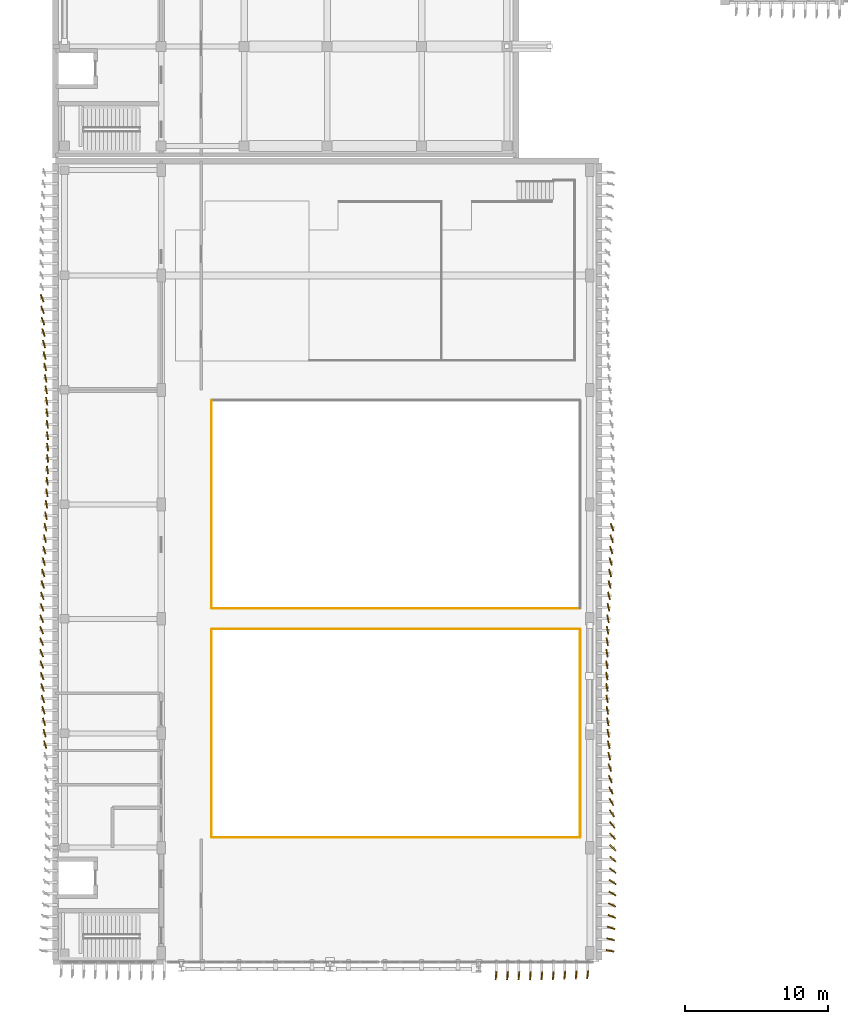
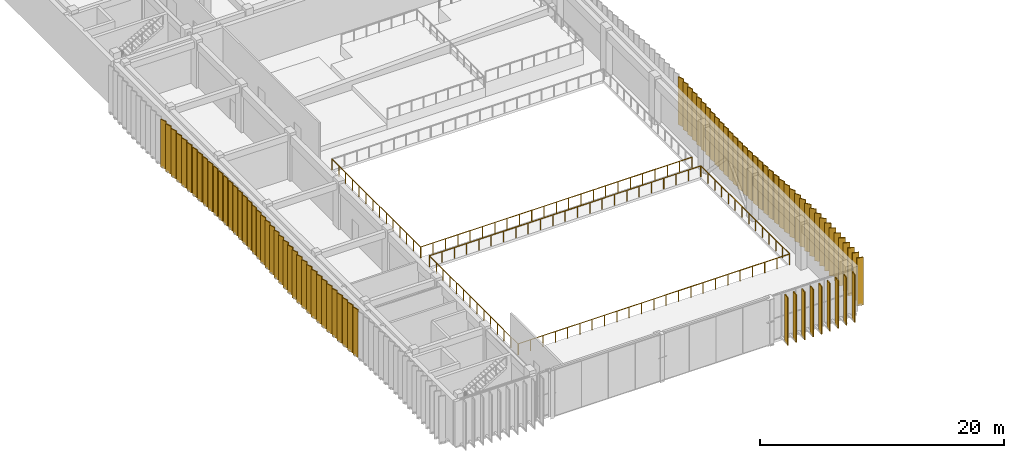
# One storey, part 53 of 64: 87 coverings, 6 railings.
"""IFC4 building model written with IfcOpenShell, lengths in metres."""

import ifcopenshell
import ifcopenshell.guid

model = None  # the IFC model being written
_history = None  # IfcOwnerHistory: only IFC2X3 demands one
_inside = {}  # id of a spatial element -> (the spatial element, [elements in it])
_under = {}  # id of a project, library or spatial element -> (it, [spatial elements below it])
_declared = {}  # id of a project -> (the project, [libraries it declares])
_typed = {}  # id of a type object -> (the type object, [elements of that type])
_made_of = {}  # id of a material, layer set ... -> (it, [elements and type objects made of it])


def new_model(schema):
    """Start an empty IFC model of exactly this schema.

    Asked for "IFC4X3", IfcOpenShell would pick the latest addendum, in which some entities
    have other attributes; the version numbers below select the first issue.
    IFC2X3 requires an IfcOwnerHistory on every rooted entity: one is made here for all.
    """
    global model, _history
    if schema == "IFC4X3":
        model = ifcopenshell.file(schema_version=(4, 3, 0, 0))
    else:
        model = ifcopenshell.file(schema=schema)
    _inside.clear()
    _under.clear()
    _declared.clear()
    _typed.clear()
    _made_of.clear()
    _history = None
    if model.schema == "IFC2X3":
        org = make("IfcOrganization", Name="unknown")
        user = make(
            "IfcPersonAndOrganization",
            ThePerson=make("IfcPerson", FamilyName="unknown"),
            TheOrganization=org,
        )
        app = make(
            "IfcApplication",
            ApplicationDeveloper=org,
            Version="unknown",
            ApplicationFullName="unknown",
            ApplicationIdentifier="unknown",
        )
        _history = make(
            "IfcOwnerHistory",
            OwningUser=user,
            OwningApplication=app,
            ChangeAction="ADDED",
            CreationDate=0,
        )
    return model


def make(cls, **values):
    """One entity of the class cls with the attributes given. An attribute that is None is left unset."""
    return model.create_entity(
        cls, **{name: value for name, value in values.items() if value is not None}
    )


def rooted(cls, **values):
    """An entity with a GlobalId (a new one), such as an element, a storey or a relation."""
    return make(cls, GlobalId=ifcopenshell.guid.new(), OwnerHistory=_history, **values)


def si_unit(unit_type, name, prefix=None):
    """IfcSIUnit, for example si_unit("LENGTHUNIT", "METRE", prefix="MILLI")."""
    return make("IfcSIUnit", UnitType=unit_type, Prefix=prefix, Name=name)


def assignment(units):
    """IfcUnitAssignment: the units of a project."""
    return None if units is None else make("IfcUnitAssignment", Units=units)


def point(xyz):
    """IfcCartesianPoint."""
    return None if xyz is None else make("IfcCartesianPoint", Coordinates=xyz)


def direction(xyz):
    """IfcDirection."""
    return None if xyz is None else make("IfcDirection", DirectionRatios=xyz)


def frame(location, z_axis=None, x_axis=None):
    """IfcAxis2Placement3D, a coordinate frame: its origin and axes. An axis left out is left unset."""
    return make(
        "IfcAxis2Placement3D",
        Location=point(location),
        Axis=direction(z_axis),
        RefDirection=direction(x_axis),
    )


def frame_2d(location, x_axis=None):
    """IfcAxis2Placement2D, a coordinate frame in the plane: its origin and x axis."""
    return make(
        "IfcAxis2Placement2D", Location=point(location), RefDirection=direction(x_axis)
    )


def origin():
    """The frame at (0, 0, 0) with its axes left unset."""
    return frame((0.0, 0.0, 0.0))


def origin_2d():
    """The frame at (0, 0) in the plane with its x axis left unset."""
    return frame_2d((0.0, 0.0))


def place(relative_to, where):
    """IfcLocalPlacement: puts the frame where relative to a parent placement (None: the world)."""
    return make(
        "IfcLocalPlacement", PlacementRelTo=relative_to, RelativePlacement=where
    )


def context(
    kind, dimensions, precision=None, world=None, true_north=None, identifier=None
):
    """IfcGeometricRepresentationContext, for example the 3D "Model" context."""
    return make(
        "IfcGeometricRepresentationContext",
        ContextIdentifier=identifier,
        ContextType=kind,
        CoordinateSpaceDimension=dimensions,
        Precision=precision,
        WorldCoordinateSystem=world,
        TrueNorth=true_north,
    )


def subcontext(parent, identifier, kind, view, scale=None):
    """IfcGeometricRepresentationSubContext, for example "Body" below "Model"."""
    return make(
        "IfcGeometricRepresentationSubContext",
        ContextIdentifier=identifier,
        ContextType=kind,
        ParentContext=parent,
        TargetScale=scale,
        TargetView=view,
    )


def project(units=None, contexts=None):
    """IfcProject with its units and contexts."""
    return rooted(
        "IfcProject",
        Name="project",
        RepresentationContexts=contexts,
        UnitsInContext=assignment(units),
    )


def spatial(cls, under=None, at=None, **own):
    """A site, building, storey or space (cls), placed at a placement, below another one or the project."""
    s = rooted(cls, ObjectPlacement=at, **own)
    if under is not None:
        _under.setdefault(under.id(), (under, []))[1].append(s)
    return s


def profile(cls, at=None, kind="AREA", **sizes):
    """A parametric profile (cls). Its sizes go by their IFC names, for example OverallWidth=200.0."""
    return make(cls, ProfileType=kind, Position=at, **sizes)


def rectangle(**sizes):
    """IfcRectangleProfileDef."""
    return profile("IfcRectangleProfileDef", **sizes)


def circle(**sizes):
    """IfcCircleProfileDef."""
    return profile("IfcCircleProfileDef", **sizes)


def extrude(swept, where, along, depth):
    """IfcExtrudedAreaSolid: the profile swept, set in the frame where, extruded along a direction by depth."""
    return make(
        "IfcExtrudedAreaSolid",
        SweptArea=swept,
        Position=where,
        ExtrudedDirection=direction(along),
        Depth=depth,
    )


def shape(context_of_items, identifier, shape_type, items):
    """IfcShapeRepresentation: the items that make up one representation, for example the "Body"."""
    return make(
        "IfcShapeRepresentation",
        ContextOfItems=context_of_items,
        RepresentationIdentifier=identifier,
        RepresentationType=shape_type,
        Items=items,
    )


def material(Name=None, Category=None):
    """IfcMaterial."""
    return make("IfcMaterial", Name=Name, Category=Category)


def layer(
    of_material, thickness, ventilated=None, Name=None, Category=None, Priority=None
):
    """IfcMaterialLayer: one layer of a wall or slab, of a material (None: an air gap)."""
    return make(
        "IfcMaterialLayer",
        Material=of_material,
        LayerThickness=thickness,
        IsVentilated=ventilated,
        Name=Name,
        Category=Category,
        Priority=Priority,
    )


def layer_set(layers, Name=None):
    """IfcMaterialLayerSet."""
    return make("IfcMaterialLayerSet", MaterialLayers=layers, LayerSetName=Name)


def made_of(thing, what):
    """Note that an element or type object is made of a material, layer set ...; save() writes the relation."""
    if what is not None:
        _made_of.setdefault(what.id(), (what, []))[1].append(thing)
    return thing


def type_object(cls, material=None, **own):
    """A type object (cls), such as IfcWallType, which elements share."""
    return made_of(rooted(cls, **own), material)


def element(
    cls,
    number,
    at=None,
    inside=None,
    cuts=None,
    type_object=None,
    material=None,
    context=None,
    identifier="Body",
    shape_type=None,
    held_by="IfcProductDefinitionShape",
    body=None,
    shapes=None,
    **own,
):
    """One element of the class cls, such as IfcWall. Its Tag is "e" and its number.

    at: its placement. inside: the storey or other place that contains it. cuts: it is an
    opening in that element (IfcRelVoidsElement). A single representation is given by context,
    identifier, shape_type and body (its items); several are given by shapes. held_by: the class
    of the entity that holds the representations. save() writes the other relations.
    """
    e = rooted(cls, Tag="e%d" % number, ObjectPlacement=at, **own)
    if body is not None:
        shapes = [shape(context, identifier, shape_type, body)]
    if shapes is not None:
        e.Representation = make(held_by, Representations=shapes)
    if inside is not None:
        _inside.setdefault(inside.id(), (inside, []))[1].append(e)
    if cuts is not None:
        rooted(
            "IfcRelVoidsElement", RelatingBuildingElement=cuts, RelatedOpeningElement=e
        )
    if type_object is not None:
        _typed.setdefault(type_object.id(), (type_object, []))[1].append(e)
    return made_of(e, material)


def aggregate(whole, parts):
    """IfcRelAggregates: a whole, such as a stair, and the parts it consists of."""
    return rooted("IfcRelAggregates", RelatingObject=whole, RelatedObjects=parts)


def save(model, path):
    """Write the relations noted so far, then the file.

    IfcRelAggregates (storeys below a building ...), IfcRelContainedInSpatialStructure (elements
    in a storey), IfcRelDefinesByType, IfcRelAssociatesMaterial and IfcRelDeclares: one each for
    every whole, place, type object, material and project.
    """
    for whole, parts in _under.values():
        aggregate(whole, parts)
    for where, things in _inside.values():
        rooted(
            "IfcRelContainedInSpatialStructure",
            RelatedElements=things,
            RelatingStructure=where,
        )
    for kind, things in _typed.values():
        rooted("IfcRelDefinesByType", RelatedObjects=things, RelatingType=kind)
    for what, things in _made_of.values():
        rooted("IfcRelAssociatesMaterial", RelatedObjects=things, RelatingMaterial=what)
    for by, libraries in _declared.values():
        rooted("IfcRelDeclares", RelatingContext=by, RelatedDefinitions=libraries)
    model.write(path)


model = new_model("IFC4")

# Units and contexts
model_context = context("Model", 3, precision=1e-05, world=origin(), true_north=direction((0.0, 1.0)))
body_context = subcontext(model_context, "Body", "Model", "MODEL_VIEW")
ifc_project = project(units=[si_unit("LENGTHUNIT", "METRE"), si_unit("AREAUNIT", "SQUARE_METRE"), si_unit("VOLUMEUNIT", "CUBIC_METRE"), si_unit("PLANEANGLEUNIT", "RADIAN"), si_unit("MASSUNIT", "GRAM", prefix="KILO")], contexts=[model_context])

# Site, building, storey
site_placement = place(None, origin())
site = spatial("IfcSite", under=ifc_project, at=site_placement, CompositionType="ELEMENT")
building_placement = place(site_placement, origin())
building = spatial("IfcBuilding", under=site, at=building_placement, Name="Cinchona Park Media Centre", CompositionType="ELEMENT")
storey_placement = place(building_placement, frame((0.0, 0.0, 5.39990234375)))
storey = spatial("IfcBuildingStorey", under=building, at=storey_placement, Name="L01", CompositionType="ELEMENT", Elevation=5.39990234375)

# Coverings
ifc_material_1 = material(Name="Anodised Storm-Resistant Aluminium Fin", Category="aluminium")
ifc_layer = layer(ifc_material_1, 0.090087890625)
ifc_layer_set = layer_set([ifc_layer], Name="Anodised Storm-Resistant Aluminium Fin")
covering_type = type_object("IfcCoveringType", Name="CLADDING-FIN01", PredefinedType="CLADDING", material=ifc_layer_set)
for number, where, z_axis, x_axis, name in (
    (1, (7.0791015625, 54.0, 0.0), (0.0, 0.0, 1.0), (0.353474843779, -0.93544403083, 0.0), "Twisting Vertical Facade Fin L01"),
    (2, (7.10498046875, 53.199951171875, 0.0), (0.0, 0.0, 1.0), (0.339230517808, -0.940703277228, 0.0), "Twisting Vertical Facade Fin L01"),
    (3, (7.135986328125, 52.39990234375, 0.0), (0.0, 0.0, 1.0), (0.321935232675, -0.946761694389, 0.0), "Twisting Vertical Facade Fin L01"),
    (4, (7.172119140625, 51.60009765625, 0.0), (0.0, 0.0, 1.0), (0.30236989075, -0.953190667793, 0.0), "Twisting Vertical Facade Fin L01"),
    (5, (7.2099609375, 50.800048828125, 0.0), (0.0, 0.0, 1.0), (0.281001727065, -0.959707262339, 0.0), "Twisting Vertical Facade Fin L01"),
    (6, (7.25, 50.0, 0.0), (0.0, 0.0, 1.0), (0.258819045103, -0.965925826289, 0.0), "Twisting Vertical Facade Fin L01"),
    (7, (7.2900390625, 49.199951171875, 0.0), (0.0, 0.0, 1.0), (0.236498997024, -0.971631732915, 0.0), "Twisting Vertical Facade Fin L01"),
    (8, (7.327880859375, 48.39990234375, 0.0), (0.0, 0.0, 1.0), (0.214735327167, -0.976672278334, 0.0), "Twisting Vertical Facade Fin L01"),
    (9, (7.364013671875, 47.60009765625, 0.0), (0.0, 0.0, 1.0), (0.194576757325, -0.980887295008, 0.0), "Twisting Vertical Facade Fin L01"),
    (10, (7.39501953125, 46.800048828125, 0.0), (0.0, 0.0, 1.0), (0.176569392453, -0.984288194407, 0.0), "Twisting Vertical Facade Fin L01"),
    (11, (7.4208984375, 46.0, 0.0), (0.0, 0.0, 1.0), (0.161603821103, -0.986855716407, 0.0), "Twisting Vertical Facade Fin L01"),
    (12, (7.44091796875, 45.199951171875, 0.0), (0.0, 0.0, 1.0), (0.150053034553, -0.988677948991, 0.0), "Twisting Vertical Facade Fin L01"),
    (13, (7.4541015625, 44.39990234375, 0.0), (0.0, 0.0, 1.0), (0.142628933706, -0.989776230908, 0.0), "Twisting Vertical Facade Fin L01"),
    (14, (7.4599609375, 43.60009765625, 0.0), (0.0, 0.0, 1.0), (0.139345933222, -0.990243763371, 0.0), "Twisting Vertical Facade Fin L01"),
    (15, (7.4580078125, 42.800048828125, 0.0), (0.0, 0.0, 1.0), (0.140382837472, -0.990097297715, 0.0), "Twisting Vertical Facade Fin L01"),
    (16, (7.447998046875, 42.0, 0.0), (0.0, 0.0, 1.0), (0.145737698481, -0.989323265289, 0.0), "Twisting Vertical Facade Fin L01"),
    (17, (7.431884765625, 41.199951171875, 0.0), (0.0, 0.0, 1.0), (0.155400074643, -0.987851616793, 0.0), "Twisting Vertical Facade Fin L01"),
    (18, (7.408935546875, 40.39990234375, 0.0), (0.0, 0.0, 1.0), (0.168661414708, -0.985674047132, 0.0), "Twisting Vertical Facade Fin L01"),
    (19, (7.3798828125, 39.60009765625, 0.0), (0.0, 0.0, 1.0), (0.185152095101, -0.982709876657, 0.0), "Twisting Vertical Facade Fin L01"),
    (20, (7.345947265625, 38.800048828125, 0.0), (0.0, 0.0, 1.0), (0.204325204139, -0.978903065147, 0.0), "Twisting Vertical Facade Fin L01"),
    (21, (7.30908203125, 38.0, 0.0), (0.0, 0.0, 1.0), (0.225461202458, -0.974252147129, 0.0), "Twisting Vertical Facade Fin L01"),
    (22, (7.27001953125, 37.199951171875, 0.0), (0.0, 0.0, 1.0), (0.247506354292, -0.968886270202, 0.0), "Twisting Vertical Facade Fin L01"),
    (23, (7.22998046875, 36.39990234375, 0.0), (0.0, 0.0, 1.0), (0.270096344686, -0.962833300518, 0.0), "Twisting Vertical Facade Fin L01"),
    (24, (7.19091796875, 35.60009765625, 0.0), (0.0, 0.0, 1.0), (0.291870944669, -0.956457710334, 0.0), "Twisting Vertical Facade Fin L01"),
    (25, (7.154052734375, 34.800048828125, 0.0), (0.0, 0.0, 1.0), (0.312500715155, -0.949917524329, 0.0), "Twisting Vertical Facade Fin L01"),
    (26, (7.1201171875, 34.0, 0.0), (0.0, 0.0, 1.0), (0.331008520407, -0.943627765286, 0.0), "Twisting Vertical Facade Fin L01"),
    (27, (7.091064453125, 33.199951171875, 0.0), (0.0, 0.0, 1.0), (0.346771953791, -0.937949472021, 0.0), "Twisting Vertical Facade Fin L01"),
    (28, (7.068115234375, 32.39990234375, 0.0), (0.0, 0.0, 1.0), (0.359345396006, -0.933204632634, 0.0), "Twisting Vertical Facade Fin L01"),
    (29, (7.052001953125, 31.60009765625, 0.0), (0.0, 0.0, 1.0), (0.36844908347, -0.929647929536, 0.0), "Twisting Vertical Facade Fin L01"),
    (30, (7.0419921875, 30.800048828125, 0.0), (0.0, 0.0, 1.0), (0.373473545352, -0.927640830776, 0.0), "Twisting Vertical Facade Fin L01"),
    (31, (7.0400390625, 30.0, 0.0), (0.0, 0.0, 1.0), (0.374444763601, -0.927249221629, 0.0), "Twisting Vertical Facade Fin L01"),
    (32, (7.0458984375, 29.199951171875, 0.0), (0.0, 0.0, 1.0), (0.37136783555, -0.928485826881, 0.0), "Twisting Vertical Facade Fin L01"),
    (33, (7.05908203125, 28.39990234375, 0.0), (0.0, 0.0, 1.0), (0.364389234658, -0.931246737264, 0.0), "Twisting Vertical Facade Fin L01"),
    (34, (7.0791015625, 27.60009765625, 0.0), (0.0, 0.0, 1.0), (0.353474843779, -0.93544403083, 0.0), "Twisting Vertical Facade Fin L01"),
    (35, (7.10498046875, 26.800048828125, 0.0), (0.0, 0.0, 1.0), (0.339230517808, -0.940703277228, 0.0), "Twisting Vertical Facade Fin L01"),
    (36, (7.135986328125, 26.0, 0.0), (0.0, 0.0, 1.0), (0.321935232675, -0.946761694389, 0.0), "Twisting Vertical Facade Fin L01"),
    (37, (7.172119140625, 25.199951171875, 0.0), (0.0, 0.0, 1.0), (0.30236989075, -0.953190667793, 0.0), "Twisting Vertical Facade Fin L01"),
    (38, (7.2099609375, 24.39990234375, 0.0), (0.0, 0.0, 1.0), (0.281001727065, -0.959707262339, 0.0), "Twisting Vertical Facade Fin L01"),
    (39, (7.25, 23.60009765625, 0.0), (0.0, 0.0, 1.0), (0.258819045103, -0.965925826289, 0.0), "Twisting Vertical Facade Fin L01"),
    (40, (7.2900390625, 22.800048828125, 0.0), (0.0, 0.0, 1.0), (0.277985336053, -0.960585317887, 0.0), "Twisting Vertical Facade Fin L01"),
    (41, (38.800048828125, 6.66796875, 0.0), (0.0, 0.0, 1.0), (0.116150698194, 0.993231602049, 0.0), "Twisting Vertical Facade Fin L01"),
    (42, (39.60009765625, 6.652099609375, 0.0), (0.0, 0.0, 1.0), (0.109213859333, 0.994018275953, 0.0), "Twisting Vertical Facade Fin L01"),
    (43, (40.39990234375, 6.64208984375, 0.0), (0.0, 0.0, 1.0), (0.105396307434, 0.994430298402, 0.0), "Twisting Vertical Facade Fin L01"),
    (44, (41.199951171875, 6.639892578125, 0.0), (0.0, 0.0, 1.0), (0.10470203849, 0.994503636562, 0.0), "Twisting Vertical Facade Fin L01"),
    (45, (42.0, 6.64599609375, 0.0), (0.0, 0.0, 1.0), (0.106958224224, 0.994263515508, 0.0), "Twisting Vertical Facade Fin L01"),
    (46, (42.800048828125, 6.658935546875, 0.0), (0.0, 0.0, 1.0), (0.112336115762, 0.99367026578, 0.0), "Twisting Vertical Facade Fin L01"),
    (47, (43.60009765625, 6.678955078125, 0.0), (0.0, 0.0, 1.0), (0.120656628871, 0.992694302346, 0.0), "Twisting Vertical Facade Fin L01"),
    (48, (44.39990234375, 6.705078125, 0.0), (0.0, 0.0, 1.0), (0.131391341269, 0.991330578283, 0.0), "Twisting Vertical Facade Fin L01"),
    (49, (45.199951171875, 6.736083984375, 0.0), (0.0, 0.0, 1.0), (0.144356201001, 0.989525789069, 0.0), "Twisting Vertical Facade Fin L01"),
    (50, (46.77001953125, 8.39990234375, 0.0), (0.0, 0.0, 1.0), (-0.978616819224, 0.205691811048, 0.0), "Twisting Vertical Facade Fin L01"),
    (51, (46.80908203125, 9.199951171875, 0.0), (0.0, 0.0, 1.0), (-0.963068637394, 0.269256011385, 0.0), "Twisting Vertical Facade Fin L01"),
    (52, (46.845947265625, 10.0, 0.0), (0.0, 0.0, 1.0), (-0.943454320287, 0.331502557353, 0.0), "Twisting Vertical Facade Fin L01"),
    (53, (46.8798828125, 10.800048828125, 0.0), (0.0, 0.0, 1.0), (-0.919821497322, 0.392337116604, 0.0), "Twisting Vertical Facade Fin L01"),
    (54, (46.908935546875, 11.60009765625, 0.0), (0.0, 0.0, 1.0), (-0.89219201375, 0.451656296979, 0.0), "Twisting Vertical Facade Fin L01"),
    (55, (46.931884765625, 12.39990234375, 0.0), (0.0, 0.0, 1.0), (-0.860830858381, 0.508891180174, 0.0), "Twisting Vertical Facade Fin L01"),
    (56, (46.947998046875, 13.199951171875, 0.0), (0.0, 0.0, 1.0), (-0.825704677814, 0.56410263697, 0.0), "Twisting Vertical Facade Fin L01"),
    (57, (46.9580078125, 14.0, 0.0), (0.0, 0.0, 1.0), (-0.787150360167, 0.616761145412, 0.0), "Twisting Vertical Facade Fin L01"),
    (58, (46.9599609375, 14.800048828125, 0.0), (0.0, 0.0, 1.0), (-0.745243290547, 0.66679264985, 0.0), "Twisting Vertical Facade Fin L01"),
    (59, (46.9541015625, 15.60009765625, 0.0), (0.0, 0.0, 1.0), (-0.700037341608, 0.714106238843, 0.0), "Twisting Vertical Facade Fin L01"),
    (60, (46.94091796875, 16.39990234375, 0.0), (0.0, 0.0, 1.0), (-0.651966074496, 0.758248137292, 0.0), "Twisting Vertical Facade Fin L01"),
    (61, (46.9208984375, 17.199951171875, 0.0), (0.0, 0.0, 1.0), (-0.600978364173, 0.79926529125, 0.0), "Twisting Vertical Facade Fin L01"),
    (62, (46.89501953125, 18.0, 0.0), (0.0, 0.0, 1.0), (-0.547563223493, 0.836764313459, 0.0), "Twisting Vertical Facade Fin L01"),
    (63, (46.864013671875, 18.800048828125, 0.0), (0.0, 0.0, 1.0), (-0.49181581725, 0.870699260309, 0.0), "Twisting Vertical Facade Fin L01"),
    (64, (46.827880859375, 19.60009765625, 0.0), (0.0, 0.0, 1.0), (-0.43381634559, 0.90100131981, 0.0), "Twisting Vertical Facade Fin L01"),
    (65, (46.7900390625, 20.39990234375, 0.0), (0.0, 0.0, 1.0), (-0.374121069757, 0.927379871015, 0.0), "Twisting Vertical Facade Fin L01"),
    (66, (46.75, 21.199951171875, 0.0), (0.0, 0.0, 1.0), (-0.312666502279, 0.949862968197, 0.0), "Twisting Vertical Facade Fin L01"),
    (67, (46.7099609375, 22.0, 0.0), (0.0, 0.0, 1.0), (-0.239550296042, 0.970883955819, 0.0), "Twisting Vertical Facade Fin L01"),
    (68, (46.672119140625, 22.800048828125, 0.0), (0.0, 0.0, 1.0), (-0.221037880265, 0.975265223151, 0.0), "Twisting Vertical Facade Fin L01"),
    (69, (46.635986328125, 23.60009765625, 0.0), (0.0, 0.0, 1.0), (-0.203812623708, 0.979009915383, 0.0), "Twisting Vertical Facade Fin L01"),
    (70, (46.60498046875, 24.39990234375, 0.0), (0.0, 0.0, 1.0), (-0.188409860458, 0.982090486912, 0.0), "Twisting Vertical Facade Fin L01"),
    (71, (46.5791015625, 25.199951171875, 0.0), (0.0, 0.0, 1.0), (-0.17553855164, 0.984472557712, 0.0), "Twisting Vertical Facade Fin L01"),
    (72, (46.55908203125, 26.0, 0.0), (0.0, 0.0, 1.0), (-0.165736122828, 0.986170136229, 0.0), "Twisting Vertical Facade Fin L01"),
    (73, (46.5458984375, 26.800048828125, 0.0), (0.0, 0.0, 1.0), (-0.15936430246, 0.987219843349, 0.0), "Twisting Vertical Facade Fin L01"),
    (74, (46.5400390625, 27.60009765625, 0.0), (0.0, 0.0, 1.0), (-0.156606846792, 0.987661022587, 0.0), "Twisting Vertical Facade Fin L01"),
    (75, (46.5419921875, 28.39990234375, 0.0), (0.0, 0.0, 1.0), (-0.157468683888, 0.987523981276, 0.0), "Twisting Vertical Facade Fin L01"),
    (76, (46.552001953125, 29.199951171875, 0.0), (0.0, 0.0, 1.0), (-0.162120515372, 0.986770965572, 0.0), "Twisting Vertical Facade Fin L01"),
    (77, (46.568115234375, 30.0, 0.0), (0.0, 0.0, 1.0), (-0.170209499166, 0.985407898483, 0.0), "Twisting Vertical Facade Fin L01"),
    (78, (46.591064453125, 30.800048828125, 0.0), (0.0, 0.0, 1.0), (-0.18172066947, 0.983350191075, 0.0), "Twisting Vertical Facade Fin L01"),
    (79, (46.6201171875, 31.60009765625, 0.0), (0.0, 0.0, 1.0), (-0.195774991714, 0.980648842665, 0.0), "Twisting Vertical Facade Fin L01"),
    (80, (46.654052734375, 32.39990234375, 0.0), (0.0, 0.0, 1.0), (-0.212177672156, 0.977231106463, 0.0), "Twisting Vertical Facade Fin L01"),
    (81, (46.69091796875, 33.199951171875, 0.0), (0.0, 0.0, 1.0), (-0.230219585439, 0.973138706701, 0.0), "Twisting Vertical Facade Fin L01"),
    (82, (46.72998046875, 34.0, 0.0), (0.0, 0.0, 1.0), (-0.249197002009, 0.968452814643, 0.0), "Twisting Vertical Facade Fin L01"),
    (83, (46.77001953125, 34.800048828125, 0.0), (0.0, 0.0, 1.0), (-0.268415473035, 0.963303240852, 0.0), "Twisting Vertical Facade Fin L01"),
    (84, (46.80908203125, 35.60009765625, 0.0), (0.0, 0.0, 1.0), (-0.287193343912, 0.957872634129, 0.0), "Twisting Vertical Facade Fin L01"),
    (85, (46.845947265625, 36.39990234375, 0.0), (0.0, 0.0, 1.0), (-0.304864299028, 0.952395799643, 0.0), "Twisting Vertical Facade Fin L01"),
    (86, (46.8798828125, 37.199951171875, 0.0), (0.0, 0.0, 1.0), (-0.320778305082, 0.947154305796, 0.0), "Twisting Vertical Facade Fin L01"),
    (87, (46.908935546875, 38.0, 0.0), (0.0, 0.0, 1.0), (-0.334300379384, 0.942466581022, 0.0), "Twisting Vertical Facade Fin L01"),
):
    element("IfcCovering", number, at=place(storey_placement, frame(where, z_axis=z_axis, x_axis=x_axis)), inside=storey, type_object=covering_type, Name=name, PredefinedType="CLADDING", context=body_context, shape_type="SweptSolid", body=[
        extrude(rectangle(XDim=0.56005859375, YDim=0.090087890625, at=origin_2d()), origin(), (0.0, 0.0, 1.0), 4.800048828125),
    ])

# Railings
ifc_material_2 = material(Name="Galvanised Painted Steel Balustrade", Category="steel")
railing_type = type_object("IfcRailingType", Name="RAILING-GR01", PredefinedType="BALUSTRADE", material=ifc_material_2)
railing_1_placement = place(storey_placement, frame((18.951904296875, 16.320068359375, 0.0)))
element("IfcRailing", 88, at=railing_1_placement, inside=storey, type_object=railing_type, Name="Atrium Balustrade GR01 VOID-L01-CIN1 S1", PredefinedType="BALUSTRADE", context=body_context, shape_type="SweptSolid", body=[
    extrude(circle(Radius=0.02392578125, at=origin_2d()), frame((0.0, 0.0, 1.076171875), z_axis=(1.0, 0.0, 0.0), x_axis=(0.0, 1.0, 0.0)), (0.0, 0.0, 1.0), 25.696044921875),
    extrude(circle(Radius=0.02099609375, at=origin_2d()), origin(), (0.0, 0.0, 1.0), 1.052001953125),
    extrude(circle(Radius=0.02099609375, at=origin_2d()), frame((1.16796875, 0.0, 0.0)), (0.0, 0.0, 1.0), 1.052001953125),
    extrude(circle(Radius=0.02099609375, at=origin_2d()), frame((2.3359375, 0.0, 0.0)), (0.0, 0.0, 1.0), 1.052001953125),
    extrude(circle(Radius=0.02099609375, at=origin_2d()), frame((3.50390625, 0.0, 0.0)), (0.0, 0.0, 1.0), 1.052001953125),
    extrude(circle(Radius=0.02099609375, at=origin_2d()), frame((4.672119140625, 0.0, 0.0)), (0.0, 0.0, 1.0), 1.052001953125),
    extrude(circle(Radius=0.02099609375, at=origin_2d()), frame((5.840087890625, 0.0, 0.0)), (0.0, 0.0, 1.0), 1.052001953125),
    extrude(circle(Radius=0.02099609375, at=origin_2d()), frame((7.008056640625, 0.0, 0.0)), (0.0, 0.0, 1.0), 1.052001953125),
    extrude(circle(Radius=0.02099609375, at=origin_2d()), frame((8.176025390625, 0.0, 0.0)), (0.0, 0.0, 1.0), 1.052001953125),
    extrude(circle(Radius=0.02099609375, at=origin_2d()), frame((9.343994140625, 0.0, 0.0)), (0.0, 0.0, 1.0), 1.052001953125),
    extrude(circle(Radius=0.02099609375, at=origin_2d()), frame((10.511962890625, 0.0, 0.0)), (0.0, 0.0, 1.0), 1.052001953125),
    extrude(circle(Radius=0.02099609375, at=origin_2d()), frame((11.679931640625, 0.0, 0.0)), (0.0, 0.0, 1.0), 1.052001953125),
    extrude(circle(Radius=0.02099609375, at=origin_2d()), frame((12.84814453125, 0.0, 0.0)), (0.0, 0.0, 1.0), 1.052001953125),
    extrude(circle(Radius=0.02099609375, at=origin_2d()), frame((14.01611328125, 0.0, 0.0)), (0.0, 0.0, 1.0), 1.052001953125),
    extrude(circle(Radius=0.02099609375, at=origin_2d()), frame((15.18408203125, 0.0, 0.0)), (0.0, 0.0, 1.0), 1.052001953125),
    extrude(circle(Radius=0.02099609375, at=origin_2d()), frame((16.35205078125, 0.0, 0.0)), (0.0, 0.0, 1.0), 1.052001953125),
    extrude(circle(Radius=0.02099609375, at=origin_2d()), frame((17.52001953125, 0.0, 0.0)), (0.0, 0.0, 1.0), 1.052001953125),
    extrude(circle(Radius=0.02099609375, at=origin_2d()), frame((18.68798828125, 0.0, 0.0)), (0.0, 0.0, 1.0), 1.052001953125),
    extrude(circle(Radius=0.02099609375, at=origin_2d()), frame((19.85595703125, 0.0, 0.0)), (0.0, 0.0, 1.0), 1.052001953125),
    extrude(circle(Radius=0.02099609375, at=origin_2d()), frame((21.02392578125, 0.0, 0.0)), (0.0, 0.0, 1.0), 1.052001953125),
    extrude(circle(Radius=0.02099609375, at=origin_2d()), frame((22.192138671875, 0.0, 0.0)), (0.0, 0.0, 1.0), 1.052001953125),
    extrude(circle(Radius=0.02099609375, at=origin_2d()), frame((23.360107421875, 0.0, 0.0)), (0.0, 0.0, 1.0), 1.052001953125),
    extrude(circle(Radius=0.02099609375, at=origin_2d()), frame((24.528076171875, 0.0, 0.0)), (0.0, 0.0, 1.0), 1.052001953125),
    extrude(circle(Radius=0.02099609375, at=origin_2d()), frame((25.696044921875, 0.0, 0.0)), (0.0, 0.0, 1.0), 1.052001953125),
])
railing_2_placement = place(storey_placement, frame((44.679931640625, 16.35205078125, 0.0)))
element("IfcRailing", 89, at=railing_2_placement, inside=storey, type_object=railing_type, Name="Atrium Balustrade GR01 VOID-L01-CIN1 S2", PredefinedType="BALUSTRADE", context=body_context, shape_type="SweptSolid", body=[
    extrude(circle(Radius=0.02392578125, at=origin_2d()), frame((0.0, 0.0, 1.076171875), z_axis=(0.0, 1.0, 0.0), x_axis=(-1.0, 0.0, 0.0)), (0.0, 0.0, 1.0), 14.495849609375),
    extrude(circle(Radius=0.02099609375, at=origin_2d()), origin(), (0.0, 0.0, 1.0), 1.052001953125),
    extrude(circle(Radius=0.02099609375, at=origin_2d()), frame((0.0, 1.114990234375, 0.0)), (0.0, 0.0, 1.0), 1.052001953125),
    extrude(circle(Radius=0.02099609375, at=origin_2d()), frame((0.0, 2.230224609375, 0.0)), (0.0, 0.0, 1.0), 1.052001953125),
    extrude(circle(Radius=0.02099609375, at=origin_2d()), frame((0.0, 3.34521484375, 0.0)), (0.0, 0.0, 1.0), 1.052001953125),
    extrude(circle(Radius=0.02099609375, at=origin_2d()), frame((0.0, 4.460205078125, 0.0)), (0.0, 0.0, 1.0), 1.052001953125),
    extrude(circle(Radius=0.02099609375, at=origin_2d()), frame((0.0, 5.575439453125, 0.0)), (0.0, 0.0, 1.0), 1.052001953125),
    extrude(circle(Radius=0.02099609375, at=origin_2d()), frame((0.0, 6.6904296875, 0.0)), (0.0, 0.0, 1.0), 1.052001953125),
    extrude(circle(Radius=0.02099609375, at=origin_2d()), frame((0.0, 7.805419921875, 0.0)), (0.0, 0.0, 1.0), 1.052001953125),
    extrude(circle(Radius=0.02099609375, at=origin_2d()), frame((0.0, 8.92041015625, 0.0)), (0.0, 0.0, 1.0), 1.052001953125),
    extrude(circle(Radius=0.02099609375, at=origin_2d()), frame((0.0, 10.03564453125, 0.0)), (0.0, 0.0, 1.0), 1.052001953125),
    extrude(circle(Radius=0.02099609375, at=origin_2d()), frame((0.0, 11.150634765625, 0.0)), (0.0, 0.0, 1.0), 1.052001953125),
    extrude(circle(Radius=0.02099609375, at=origin_2d()), frame((0.0, 12.265625, 0.0)), (0.0, 0.0, 1.0), 1.052001953125),
    extrude(circle(Radius=0.02099609375, at=origin_2d()), frame((0.0, 13.380859375, 0.0)), (0.0, 0.0, 1.0), 1.052001953125),
    extrude(circle(Radius=0.02099609375, at=origin_2d()), frame((0.0, 14.495849609375, 0.0)), (0.0, 0.0, 1.0), 1.052001953125),
])
railing_3_placement = place(storey_placement, frame((44.64794921875, 30.8798828125, 0.0)))
element("IfcRailing", 90, at=railing_3_placement, inside=storey, type_object=railing_type, Name="Atrium Balustrade GR01 VOID-L01-CIN1 S3", PredefinedType="BALUSTRADE", context=body_context, shape_type="SweptSolid", body=[
    extrude(circle(Radius=0.02392578125, at=origin_2d()), frame((0.0, 0.0, 1.076171875), z_axis=(-1.0, 0.0, 0.0), x_axis=(0.0, -1.0, 0.0)), (0.0, 0.0, 1.0), 25.696044921875),
    extrude(circle(Radius=0.02099609375, at=origin_2d()), origin(), (0.0, 0.0, 1.0), 1.052001953125),
    extrude(circle(Radius=0.02099609375, at=origin_2d()), frame((-1.16796875, 0.0, 0.0)), (0.0, 0.0, 1.0), 1.052001953125),
    extrude(circle(Radius=0.02099609375, at=origin_2d()), frame((-2.3359375, 0.0, 0.0)), (0.0, 0.0, 1.0), 1.052001953125),
    extrude(circle(Radius=0.02099609375, at=origin_2d()), frame((-3.50390625, 0.0, 0.0)), (0.0, 0.0, 1.0), 1.052001953125),
    extrude(circle(Radius=0.02099609375, at=origin_2d()), frame((-4.672119140625, 0.0, 0.0)), (0.0, 0.0, 1.0), 1.052001953125),
    extrude(circle(Radius=0.02099609375, at=origin_2d()), frame((-5.840087890625, 0.0, 0.0)), (0.0, 0.0, 1.0), 1.052001953125),
    extrude(circle(Radius=0.02099609375, at=origin_2d()), frame((-7.008056640625, 0.0, 0.0)), (0.0, 0.0, 1.0), 1.052001953125),
    extrude(circle(Radius=0.02099609375, at=origin_2d()), frame((-8.176025390625, 0.0, 0.0)), (0.0, 0.0, 1.0), 1.052001953125),
    extrude(circle(Radius=0.02099609375, at=origin_2d()), frame((-9.343994140625, 0.0, 0.0)), (0.0, 0.0, 1.0), 1.052001953125),
    extrude(circle(Radius=0.02099609375, at=origin_2d()), frame((-10.511962890625, 0.0, 0.0)), (0.0, 0.0, 1.0), 1.052001953125),
    extrude(circle(Radius=0.02099609375, at=origin_2d()), frame((-11.679931640625, 0.0, 0.0)), (0.0, 0.0, 1.0), 1.052001953125),
    extrude(circle(Radius=0.02099609375, at=origin_2d()), frame((-12.84814453125, 0.0, 0.0)), (0.0, 0.0, 1.0), 1.052001953125),
    extrude(circle(Radius=0.02099609375, at=origin_2d()), frame((-14.01611328125, 0.0, 0.0)), (0.0, 0.0, 1.0), 1.052001953125),
    extrude(circle(Radius=0.02099609375, at=origin_2d()), frame((-15.18408203125, 0.0, 0.0)), (0.0, 0.0, 1.0), 1.052001953125),
    extrude(circle(Radius=0.02099609375, at=origin_2d()), frame((-16.35205078125, 0.0, 0.0)), (0.0, 0.0, 1.0), 1.052001953125),
    extrude(circle(Radius=0.02099609375, at=origin_2d()), frame((-17.52001953125, 0.0, 0.0)), (0.0, 0.0, 1.0), 1.052001953125),
    extrude(circle(Radius=0.02099609375, at=origin_2d()), frame((-18.68798828125, 0.0, 0.0)), (0.0, 0.0, 1.0), 1.052001953125),
    extrude(circle(Radius=0.02099609375, at=origin_2d()), frame((-19.85595703125, 0.0, 0.0)), (0.0, 0.0, 1.0), 1.052001953125),
    extrude(circle(Radius=0.02099609375, at=origin_2d()), frame((-21.02392578125, 0.0, 0.0)), (0.0, 0.0, 1.0), 1.052001953125),
    extrude(circle(Radius=0.02099609375, at=origin_2d()), frame((-22.192138671875, 0.0, 0.0)), (0.0, 0.0, 1.0), 1.052001953125),
    extrude(circle(Radius=0.02099609375, at=origin_2d()), frame((-23.360107421875, 0.0, 0.0)), (0.0, 0.0, 1.0), 1.052001953125),
    extrude(circle(Radius=0.02099609375, at=origin_2d()), frame((-24.528076171875, 0.0, 0.0)), (0.0, 0.0, 1.0), 1.052001953125),
    extrude(circle(Radius=0.02099609375, at=origin_2d()), frame((-25.696044921875, 0.0, 0.0)), (0.0, 0.0, 1.0), 1.052001953125),
])
railing_4_placement = place(storey_placement, frame((18.919921875, 30.847900390625, 0.0)))
element("IfcRailing", 91, at=railing_4_placement, inside=storey, type_object=railing_type, Name="Atrium Balustrade GR01 VOID-L01-CIN1 S4", PredefinedType="BALUSTRADE", context=body_context, shape_type="SweptSolid", body=[
    extrude(circle(Radius=0.02392578125, at=origin_2d()), frame((0.0, 0.0, 1.076171875), z_axis=(0.0, -1.0, 0.0), x_axis=(1.0, 0.0, 0.0)), (0.0, 0.0, 1.0), 14.495849609375),
    extrude(circle(Radius=0.02099609375, at=origin_2d()), origin(), (0.0, 0.0, 1.0), 1.052001953125),
    extrude(circle(Radius=0.02099609375, at=origin_2d()), frame((0.0, -1.114990234375, 0.0)), (0.0, 0.0, 1.0), 1.052001953125),
    extrude(circle(Radius=0.02099609375, at=origin_2d()), frame((0.0, -2.230224609375, 0.0)), (0.0, 0.0, 1.0), 1.052001953125),
    extrude(circle(Radius=0.02099609375, at=origin_2d()), frame((0.0, -3.34521484375, 0.0)), (0.0, 0.0, 1.0), 1.052001953125),
    extrude(circle(Radius=0.02099609375, at=origin_2d()), frame((0.0, -4.460205078125, 0.0)), (0.0, 0.0, 1.0), 1.052001953125),
    extrude(circle(Radius=0.02099609375, at=origin_2d()), frame((0.0, -5.575439453125, 0.0)), (0.0, 0.0, 1.0), 1.052001953125),
    extrude(circle(Radius=0.02099609375, at=origin_2d()), frame((0.0, -6.6904296875, 0.0)), (0.0, 0.0, 1.0), 1.052001953125),
    extrude(circle(Radius=0.02099609375, at=origin_2d()), frame((0.0, -7.805419921875, 0.0)), (0.0, 0.0, 1.0), 1.052001953125),
    extrude(circle(Radius=0.02099609375, at=origin_2d()), frame((0.0, -8.92041015625, 0.0)), (0.0, 0.0, 1.0), 1.052001953125),
    extrude(circle(Radius=0.02099609375, at=origin_2d()), frame((0.0, -10.03564453125, 0.0)), (0.0, 0.0, 1.0), 1.052001953125),
    extrude(circle(Radius=0.02099609375, at=origin_2d()), frame((0.0, -11.150634765625, 0.0)), (0.0, 0.0, 1.0), 1.052001953125),
    extrude(circle(Radius=0.02099609375, at=origin_2d()), frame((0.0, -12.265625, 0.0)), (0.0, 0.0, 1.0), 1.052001953125),
    extrude(circle(Radius=0.02099609375, at=origin_2d()), frame((0.0, -13.380859375, 0.0)), (0.0, 0.0, 1.0), 1.052001953125),
    extrude(circle(Radius=0.02099609375, at=origin_2d()), frame((0.0, -14.495849609375, 0.0)), (0.0, 0.0, 1.0), 1.052001953125),
])
railing_5_placement = place(storey_placement, frame((18.951904296875, 32.320068359375, 0.0)))
element("IfcRailing", 92, at=railing_5_placement, inside=storey, type_object=railing_type, Name="Atrium Balustrade GR01 VOID-L01-CIN2 S1", PredefinedType="BALUSTRADE", context=body_context, shape_type="SweptSolid", body=[
    extrude(circle(Radius=0.02392578125, at=origin_2d()), frame((0.0, 0.0, 1.076171875), z_axis=(1.0, 0.0, 0.0), x_axis=(0.0, 1.0, 0.0)), (0.0, 0.0, 1.0), 25.696044921875),
    extrude(circle(Radius=0.02099609375, at=origin_2d()), origin(), (0.0, 0.0, 1.0), 1.052001953125),
    extrude(circle(Radius=0.02099609375, at=origin_2d()), frame((1.16796875, 0.0, 0.0)), (0.0, 0.0, 1.0), 1.052001953125),
    extrude(circle(Radius=0.02099609375, at=origin_2d()), frame((2.3359375, 0.0, 0.0)), (0.0, 0.0, 1.0), 1.052001953125),
    extrude(circle(Radius=0.02099609375, at=origin_2d()), frame((3.50390625, 0.0, 0.0)), (0.0, 0.0, 1.0), 1.052001953125),
    extrude(circle(Radius=0.02099609375, at=origin_2d()), frame((4.672119140625, 0.0, 0.0)), (0.0, 0.0, 1.0), 1.052001953125),
    extrude(circle(Radius=0.02099609375, at=origin_2d()), frame((5.840087890625, 0.0, 0.0)), (0.0, 0.0, 1.0), 1.052001953125),
    extrude(circle(Radius=0.02099609375, at=origin_2d()), frame((7.008056640625, 0.0, 0.0)), (0.0, 0.0, 1.0), 1.052001953125),
    extrude(circle(Radius=0.02099609375, at=origin_2d()), frame((8.176025390625, 0.0, 0.0)), (0.0, 0.0, 1.0), 1.052001953125),
    extrude(circle(Radius=0.02099609375, at=origin_2d()), frame((9.343994140625, 0.0, 0.0)), (0.0, 0.0, 1.0), 1.052001953125),
    extrude(circle(Radius=0.02099609375, at=origin_2d()), frame((10.511962890625, 0.0, 0.0)), (0.0, 0.0, 1.0), 1.052001953125),
    extrude(circle(Radius=0.02099609375, at=origin_2d()), frame((11.679931640625, 0.0, 0.0)), (0.0, 0.0, 1.0), 1.052001953125),
    extrude(circle(Radius=0.02099609375, at=origin_2d()), frame((12.84814453125, 0.0, 0.0)), (0.0, 0.0, 1.0), 1.052001953125),
    extrude(circle(Radius=0.02099609375, at=origin_2d()), frame((14.01611328125, 0.0, 0.0)), (0.0, 0.0, 1.0), 1.052001953125),
    extrude(circle(Radius=0.02099609375, at=origin_2d()), frame((15.18408203125, 0.0, 0.0)), (0.0, 0.0, 1.0), 1.052001953125),
    extrude(circle(Radius=0.02099609375, at=origin_2d()), frame((16.35205078125, 0.0, 0.0)), (0.0, 0.0, 1.0), 1.052001953125),
    extrude(circle(Radius=0.02099609375, at=origin_2d()), frame((17.52001953125, 0.0, 0.0)), (0.0, 0.0, 1.0), 1.052001953125),
    extrude(circle(Radius=0.02099609375, at=origin_2d()), frame((18.68798828125, 0.0, 0.0)), (0.0, 0.0, 1.0), 1.052001953125),
    extrude(circle(Radius=0.02099609375, at=origin_2d()), frame((19.85595703125, 0.0, 0.0)), (0.0, 0.0, 1.0), 1.052001953125),
    extrude(circle(Radius=0.02099609375, at=origin_2d()), frame((21.02392578125, 0.0, 0.0)), (0.0, 0.0, 1.0), 1.052001953125),
    extrude(circle(Radius=0.02099609375, at=origin_2d()), frame((22.192138671875, 0.0, 0.0)), (0.0, 0.0, 1.0), 1.052001953125),
    extrude(circle(Radius=0.02099609375, at=origin_2d()), frame((23.360107421875, 0.0, 0.0)), (0.0, 0.0, 1.0), 1.052001953125),
    extrude(circle(Radius=0.02099609375, at=origin_2d()), frame((24.528076171875, 0.0, 0.0)), (0.0, 0.0, 1.0), 1.052001953125),
    extrude(circle(Radius=0.02099609375, at=origin_2d()), frame((25.696044921875, 0.0, 0.0)), (0.0, 0.0, 1.0), 1.052001953125),
])
railing_6_placement = place(storey_placement, frame((18.919921875, 46.847900390625, 0.0)))
element("IfcRailing", 93, at=railing_6_placement, inside=storey, type_object=railing_type, Name="Atrium Balustrade GR01 VOID-L01-CIN2 S4", PredefinedType="BALUSTRADE", context=body_context, shape_type="SweptSolid", body=[
    extrude(circle(Radius=0.02392578125, at=origin_2d()), frame((0.0, 0.0, 1.076171875), z_axis=(0.0, -1.0, 0.0), x_axis=(1.0, 0.0, 0.0)), (0.0, 0.0, 1.0), 14.495849609375),
    extrude(circle(Radius=0.02099609375, at=origin_2d()), origin(), (0.0, 0.0, 1.0), 1.052001953125),
    extrude(circle(Radius=0.02099609375, at=origin_2d()), frame((0.0, -1.114990234375, 0.0)), (0.0, 0.0, 1.0), 1.052001953125),
    extrude(circle(Radius=0.02099609375, at=origin_2d()), frame((0.0, -2.230224609375, 0.0)), (0.0, 0.0, 1.0), 1.052001953125),
    extrude(circle(Radius=0.02099609375, at=origin_2d()), frame((0.0, -3.34521484375, 0.0)), (0.0, 0.0, 1.0), 1.052001953125),
    extrude(circle(Radius=0.02099609375, at=origin_2d()), frame((0.0, -4.460205078125, 0.0)), (0.0, 0.0, 1.0), 1.052001953125),
    extrude(circle(Radius=0.02099609375, at=origin_2d()), frame((0.0, -5.575439453125, 0.0)), (0.0, 0.0, 1.0), 1.052001953125),
    extrude(circle(Radius=0.02099609375, at=origin_2d()), frame((0.0, -6.6904296875, 0.0)), (0.0, 0.0, 1.0), 1.052001953125),
    extrude(circle(Radius=0.02099609375, at=origin_2d()), frame((0.0, -7.805419921875, 0.0)), (0.0, 0.0, 1.0), 1.052001953125),
    extrude(circle(Radius=0.02099609375, at=origin_2d()), frame((0.0, -8.92041015625, 0.0)), (0.0, 0.0, 1.0), 1.052001953125),
    extrude(circle(Radius=0.02099609375, at=origin_2d()), frame((0.0, -10.03564453125, 0.0)), (0.0, 0.0, 1.0), 1.052001953125),
    extrude(circle(Radius=0.02099609375, at=origin_2d()), frame((0.0, -11.150634765625, 0.0)), (0.0, 0.0, 1.0), 1.052001953125),
    extrude(circle(Radius=0.02099609375, at=origin_2d()), frame((0.0, -12.265625, 0.0)), (0.0, 0.0, 1.0), 1.052001953125),
    extrude(circle(Radius=0.02099609375, at=origin_2d()), frame((0.0, -13.380859375, 0.0)), (0.0, 0.0, 1.0), 1.052001953125),
    extrude(circle(Radius=0.02099609375, at=origin_2d()), frame((0.0, -14.495849609375, 0.0)), (0.0, 0.0, 1.0), 1.052001953125),
])

save(model, "model.ifc")
